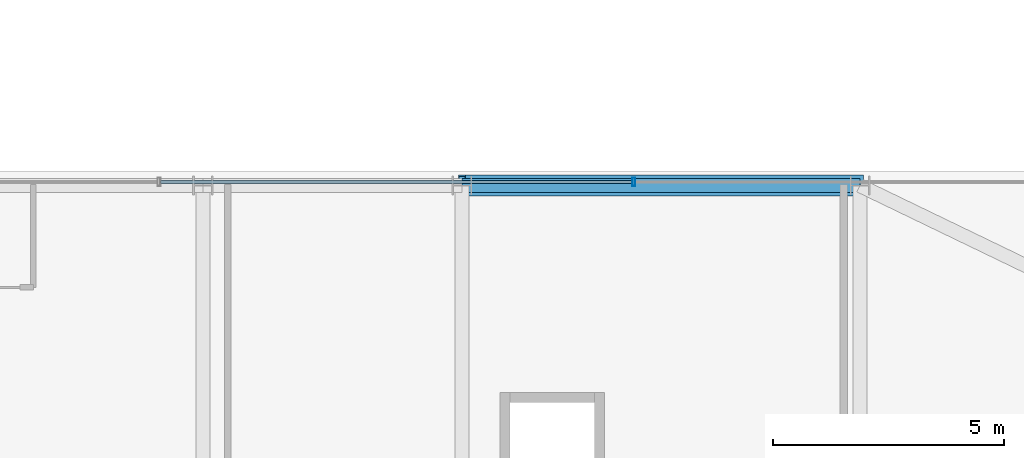
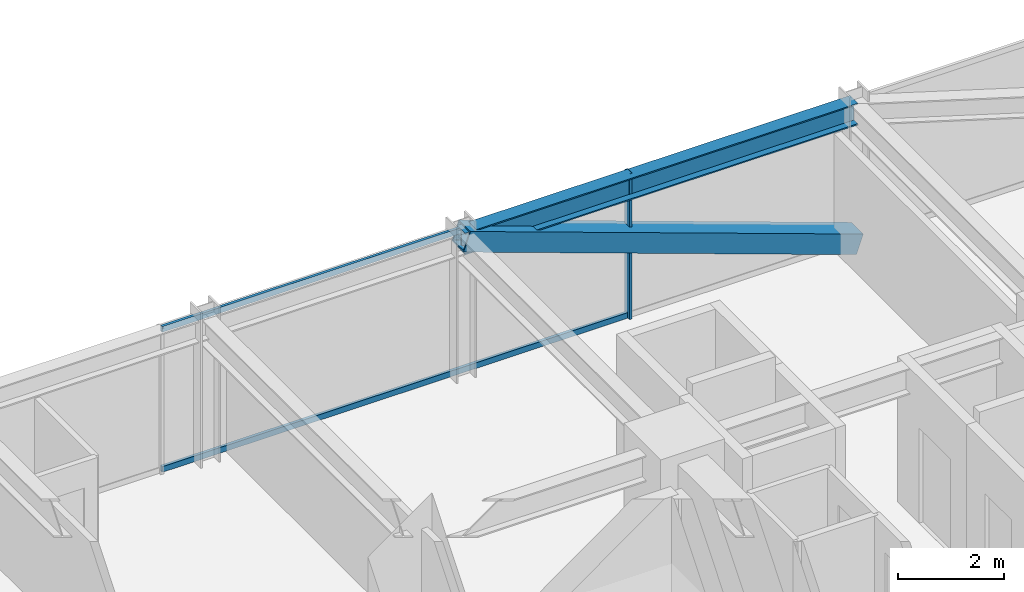
# One storey, part 26 of 35: 4 members, 1 beam, 1 element without a shape of its own.
"""IFC4 building model written with IfcOpenShell, lengths in metres."""

from ifc_helpers import new_model, si_unit, direction, frame, origin, origin_2d, place, context, subcontext, project, spatial, hollow_rectangle, i_section, extrude, source, transform, mapped, material, material_profile, profile_set, type_object, element, aggregate, save


model = new_model("IFC4")

# Units and contexts
model_context = context("Model", 3, precision=1e-05, world=origin(), true_north=direction((0.0, 1.0)))
body_context = subcontext(model_context, "Body", "Model", "MODEL_VIEW")
ifc_project = project(units=[si_unit("LENGTHUNIT", "METRE"), si_unit("AREAUNIT", "SQUARE_METRE"), si_unit("VOLUMEUNIT", "CUBIC_METRE"), si_unit("PLANEANGLEUNIT", "RADIAN"), si_unit("MASSUNIT", "GRAM", prefix="KILO")], contexts=[model_context])

# Site, building, storey
site_placement = place(None, origin())
site = spatial("IfcSite", under=ifc_project, at=site_placement, CompositionType="ELEMENT")
building_placement = place(site_placement, origin())
building = spatial("IfcBuilding", under=site, at=building_placement, Name="Nahalor Promenade Grand Hotel", CompositionType="ELEMENT")
storey_placement = place(building_placement, frame((0.0, 0.0, 39.699951171875)))
storey = spatial("IfcBuildingStorey", under=building, at=storey_placement, Name="L08", CompositionType="ELEMENT", Elevation=39.699951171875)

# Beam
ifc_material_1 = material(Name="Steel S355JR", Category="steel")
ifc_material_profile_1 = material_profile(ifc_material_1, i_section(OverallWidth=0.3, OverallDepth=0.5, WebThickness=0.0145, FlangeThickness=0.028, at=origin_2d()), Name="HEB 500")
ifc_profile_set_1 = profile_set([ifc_material_profile_1], Name="Steel S355JR")
beam_type = type_object("IfcBeamType", Name="Beam-Spandrel-HEB500", PredefinedType="SPANDREL", material=ifc_profile_set_1)
shared_shape_1 = source(origin(), body_context, "Body", "SweptSolid", [
    extrude(i_section(OverallWidth=0.3, OverallDepth=0.5, WebThickness=0.0145, FlangeThickness=0.028, at=origin_2d()), origin(), (0.0, 0.0, 1.0), 8.60009765625),
])
beam_placement = place(storey_placement, frame((8.39990234375, 25.080078125, 3.1201171875), z_axis=(1.0, 0.0, 0.0), x_axis=(0.0, 1.0, 0.0)))
element("IfcBeam", 1, at=beam_placement, inside=storey, type_object=beam_type, Name="BM-L08-SP-N-4", PredefinedType="SPANDREL", context=body_context, shape_type="MappedRepresentation", body=[
    mapped(shared_shape_1, transform((0.0, 0.0, 0.0), scale=1.0)),
])

# Member
ifc_material_2 = material(Name="Steel S355J2", Category="steel")
ifc_material_profile_2 = material_profile(ifc_material_2, hollow_rectangle(XDim=0.45, YDim=0.45, WallThickness=0.025, at=origin_2d()), Name="SHS 450x450x25")
ifc_profile_set_2 = profile_set([ifc_material_profile_2], Name="Steel S355J2")
member_type_1 = type_object("IfcMemberType", Name="Mem-ExoBrace-SHS450", PredefinedType="BRACE", material=ifc_profile_set_2)
shared_shape_2 = source(origin(), body_context, "Body", "SweptSolid", [
    extrude(hollow_rectangle(XDim=0.45, YDim=0.45, WallThickness=0.025, at=origin_2d()), origin(), (0.0, 0.0, 1.0), 9.131591796875),
])
member_1_placement = place(storey_placement, frame((17.0, 25.080078125, 0.150146484375), z_axis=(-0.941798757288, 0.0, 0.336177186571), x_axis=(0.0, -1.0, 0.0)))
element("IfcMember", 2, at=member_1_placement, inside=storey, type_object=member_type_1, Name="EXO-L08-N-1", PredefinedType="BRACE", context=body_context, shape_type="MappedRepresentation", body=[
    mapped(shared_shape_2, transform((0.0, 0.0, 0.0), scale=1.0)),
])

# Curtain wall, members
ifc_material_3 = material(Name="Anodised Bronze Aluminium EN AW-6063 T6", Category="aluminium")
curtain_wall_type = type_object("IfcCurtainWallType", Name="CW2 Typical Hotel Flush Bronze Unitised Curtain Wall", PredefinedType="USERDEFINED", material=ifc_material_3)
curtain_wall_placement = place(storey_placement, origin())
curtain_wall = element("IfcCurtainWall", 3, at=curtain_wall_placement, inside=storey, type_object=curtain_wall_type, Name="L08 Curtain Wall CW-L08-N-3", ObjectType="UNITISED_CURTAIN_WALL", PredefinedType="USERDEFINED")
ifc_material_profile_3 = material_profile(ifc_material_3, hollow_rectangle(XDim=0.065, YDim=0.18, WallThickness=0.004, at=origin_2d()), Name="CWM 65x180x4")
ifc_profile_set_3 = profile_set([ifc_material_profile_3], Name="Anodised Bronze Aluminium EN AW-6063 T6")
member_type_2 = type_object("IfcMemberType", Name="CWM2 Typical Bronze Mullion 65x180", PredefinedType="MULLION", material=ifc_profile_set_3)
shared_shape_3 = source(origin(), body_context, "Body", "SweptSolid", [
    extrude(hollow_rectangle(XDim=0.065, YDim=0.18, WallThickness=0.004, at=origin_2d()), origin(), (0.0, 0.0, 1.0), 3.3701171875),
])
member_2_placement = place(storey_placement, frame((12.106689453125, 25.159912109375, 0.0), z_axis=(0.0, 0.0, 1.0), x_axis=(1.0, 0.0, 0.0)))
member_2 = element("IfcMember", 4, at=member_2_placement, type_object=member_type_2, Name="CW-L08-N-3 Mullion 2", PredefinedType="MULLION", context=body_context, shape_type="MappedRepresentation", body=[
    mapped(shared_shape_3, transform((0.0, 0.0, 0.0), scale=1.0)),
])
ifc_material_profile_4 = material_profile(ifc_material_3, hollow_rectangle(XDim=0.065, YDim=0.13, WallThickness=0.004, at=origin_2d()), Name="CWT 65x130x4")
ifc_profile_set_4 = profile_set([ifc_material_profile_4], Name="Anodised Bronze Aluminium EN AW-6063 T6")
member_type_3 = type_object("IfcMemberType", Name="CWT2 Typical Bronze Transom 65x130", PredefinedType="USERDEFINED", material=ifc_profile_set_4)
shared_shape_4 = source(origin(), body_context, "Body", "SweptSolid", [
    extrude(hollow_rectangle(XDim=0.065, YDim=0.13, WallThickness=0.004, at=origin_2d()), origin(), (0.0, 0.0, 1.0), 10.1884765625),
])
member_3_placement = place(storey_placement, frame((1.8857421875, 25.159912109375, 0.06494140625), z_axis=(1.0, 0.0, 0.0), x_axis=(0.0, 1.0, 0.0)))
member_3 = element("IfcMember", 5, at=member_3_placement, type_object=member_type_3, Name="CW-L08-N-3 Transom 1-0", ObjectType="TRANSOM", PredefinedType="USERDEFINED", context=body_context, shape_type="MappedRepresentation", body=[
    mapped(shared_shape_4, transform((0.0, 0.0, 0.0), scale=1.0)),
])
member_4_placement = place(storey_placement, frame((1.8857421875, 25.159912109375, 3.304931640625), z_axis=(1.0, 0.0, 0.0), x_axis=(0.0, 1.0, 0.0)))
member_4 = element("IfcMember", 6, at=member_4_placement, type_object=member_type_3, Name="CW-L08-N-3 Transom 1-1", ObjectType="TRANSOM", PredefinedType="USERDEFINED", context=body_context, shape_type="MappedRepresentation", body=[
    mapped(shared_shape_4, transform((0.0, 0.0, 0.0), scale=1.0)),
])
aggregate(curtain_wall, [member_2, member_3, member_4])

save(model, "model.ifc")
